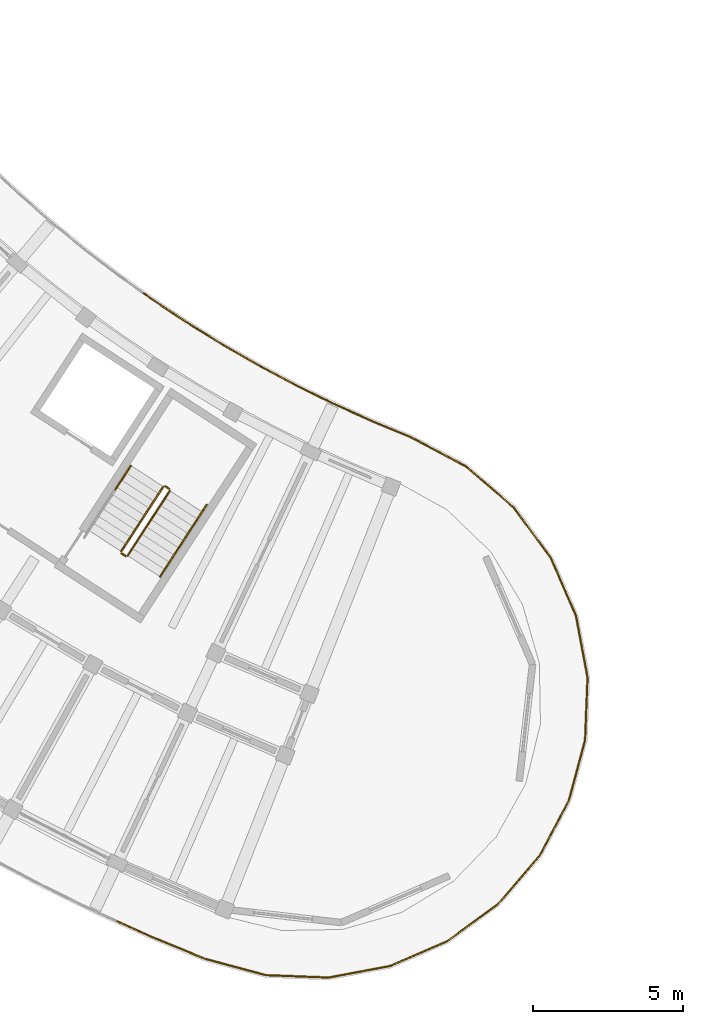
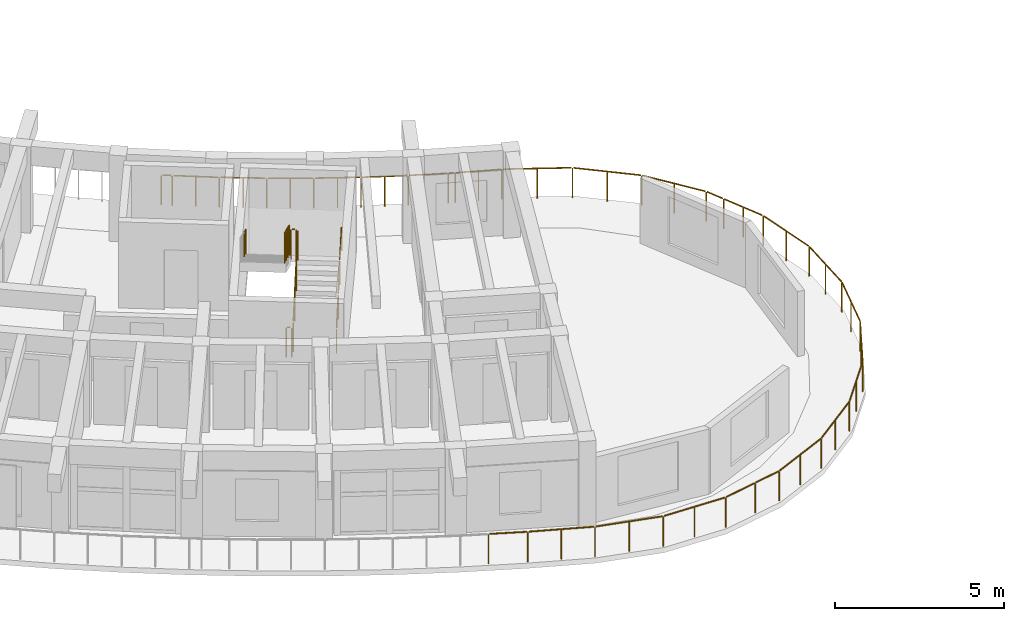
# One storey, part 51 of 62: 13 railings.
"""IFC4 building model written with IfcOpenShell, lengths in metres."""

from ifc_helpers import new_model, si_unit, direction, frame, origin, origin_2d, place, context, subcontext, project, spatial, circle, extrude, material, type_object, element, save


model = new_model("IFC4")

# Units and contexts
model_context = context("Model", 3, precision=1e-05, world=origin(), true_north=direction((0.0, 1.0)))
body_context = subcontext(model_context, "Body", "Model", "MODEL_VIEW")
ifc_project = project(units=[si_unit("LENGTHUNIT", "METRE"), si_unit("AREAUNIT", "SQUARE_METRE"), si_unit("VOLUMEUNIT", "CUBIC_METRE"), si_unit("PLANEANGLEUNIT", "RADIAN"), si_unit("MASSUNIT", "GRAM", prefix="KILO")], contexts=[model_context])

# Site, building, storey
site_placement = place(None, origin())
site = spatial("IfcSite", under=ifc_project, at=site_placement, CompositionType="ELEMENT")
building_placement = place(site_placement, origin())
building = spatial("IfcBuilding", under=site, at=building_placement, Name="Tanwirah Colonnade Gardens", CompositionType="ELEMENT")
storey_placement = place(building_placement, frame((0.0, 0.0, 32.360107421875)))
storey = spatial("IfcBuildingStorey", under=building, at=storey_placement, Name="L09", CompositionType="ELEMENT", Elevation=32.360107421875)

# Railings
ifc_material_1 = material(Name="Precast concrete C40/50", Category="concrete")
railing_type_1 = type_object("IfcRailingType", Name="BAL-EXT110", PredefinedType="BALUSTRADE", material=ifc_material_1)
railing_1_placement = place(storey_placement, frame((40.480712890625, 29.57080078125, 0.0)))
element("IfcRailing", 1, at=railing_1_placement, inside=storey, type_object=railing_type_1, Name="Block C L09 Balcony Ribbon Balustrade 4", PredefinedType="BALUSTRADE", context=body_context, shape_type="SweptSolid", body=[
    extrude(circle(Radius=0.02392578125, at=origin_2d()), frame((0.025390625, -0.01806640625, 1.076171875), z_axis=(0.813783683133, -0.581167890602, 0.0), x_axis=(0.581167890602, 0.813783683133, 0.0)), (0.0, 0.0, 1.0), 0.265869140625),
    extrude(circle(Radius=0.02392578125, at=origin_2d()), frame((0.295654296875, -0.209716796875, 1.076171875), z_axis=(0.832077237554, -0.554659779274, 0.0), x_axis=(0.554659779274, 0.832077237554, 0.0)), (0.0, 0.0, 1.0), 1.33154296875),
    extrude(circle(Radius=0.02392578125, at=origin_2d()), frame((1.458251953125, -0.983642578125, 1.076171875), z_axis=(0.849764617567, -0.527162303973, 0.0), x_axis=(0.527162303973, 0.849764617567, 0.0)), (0.0, 0.0, 1.0), 1.33154296875),
    extrude(circle(Radius=0.02392578125, at=origin_2d()), frame((2.6455078125, -1.71875, 1.076171875), z_axis=(0.866535241782, -0.499115893104, 0.0), x_axis=(0.499115893104, 0.866535241782, 0.0)), (0.0, 0.0, 1.0), 1.33154296875),
    extrude(circle(Radius=0.02392578125, at=origin_2d()), frame((3.8564453125, -2.414794921875, 1.076171875), z_axis=(0.88242081136, -0.470460956593, 0.0), x_axis=(0.470460956593, 0.88242081136, 0.0)), (0.0, 0.0, 1.0), 1.331298828125),
    extrude(circle(Radius=0.02392578125, at=origin_2d()), frame((5.08935546875, -3.071044921875, 1.076171875), z_axis=(0.897349966121, -0.441319655469, 0.0), x_axis=(0.441319655469, 0.897349966121, 0.0)), (0.0, 0.0, 1.0), 1.33154296875),
    extrude(circle(Radius=0.02392578125, at=origin_2d()), frame((6.343017578125, -3.6865234375, 1.076171875), z_axis=(0.911358141413, -0.41161430743, 0.0), x_axis=(0.41161430743, 0.911358141413, 0.0)), (0.0, 0.0, 1.0), 1.123046875),
    extrude(circle(Radius=0.02099609375, at=origin_2d()), origin(), (0.0, 0.0, 1.0), 1.049072265625),
    extrude(circle(Radius=0.02099609375, at=origin_2d()), frame((0.267333984375, -0.19091796875, 0.0)), (0.0, 0.0, 1.0), 1.049072265625),
    extrude(circle(Radius=0.02099609375, at=origin_2d()), frame((0.849609375, -0.5791015625, 0.0)), (0.0, 0.0, 1.0), 1.049072265625),
    extrude(circle(Radius=0.02099609375, at=origin_2d()), frame((1.429443359375, -0.965576171875, 0.0)), (0.0, 0.0, 1.0), 1.049072265625),
    extrude(circle(Radius=0.02099609375, at=origin_2d()), frame((2.02392578125, -1.33447265625, 0.0)), (0.0, 0.0, 1.0), 1.049072265625),
    extrude(circle(Radius=0.02099609375, at=origin_2d()), frame((2.6162109375, -1.701904296875, 0.0)), (0.0, 0.0, 1.0), 1.049072265625),
    extrude(circle(Radius=0.02099609375, at=origin_2d()), frame((3.222412109375, -2.051025390625, 0.0)), (0.0, 0.0, 1.0), 1.049072265625),
    extrude(circle(Radius=0.02099609375, at=origin_2d()), frame((3.826416015625, -2.39892578125, 0.0)), (0.0, 0.0, 1.0), 1.049072265625),
    extrude(circle(Radius=0.02099609375, at=origin_2d()), frame((4.44384765625, -2.72802734375, 0.0)), (0.0, 0.0, 1.0), 1.049072265625),
    extrude(circle(Radius=0.02099609375, at=origin_2d()), frame((5.058837890625, -3.055908203125, 0.0)), (0.0, 0.0, 1.0), 1.049072265625),
    extrude(circle(Radius=0.02099609375, at=origin_2d()), frame((5.686767578125, -3.36474609375, 0.0)), (0.0, 0.0, 1.0), 1.049072265625),
    extrude(circle(Radius=0.02099609375, at=origin_2d()), frame((6.312255859375, -3.67236328125, 0.0)), (0.0, 0.0, 1.0), 1.049072265625),
    extrude(circle(Radius=0.02099609375, at=origin_2d()), frame((7.39501953125, -4.16162109375, 0.0)), (0.0, 0.0, 1.0), 1.049072265625),
])
railing_2_placement = place(storey_placement, frame((47.875732421875, 25.4091796875, 0.0)))
element("IfcRailing", 2, at=railing_2_placement, inside=storey, type_object=railing_type_1, Name="Block C L09 Balcony Ribbon Balustrade 5", PredefinedType="BALUSTRADE", context=body_context, shape_type="SweptSolid", body=[
    extrude(circle(Radius=0.02392578125, at=origin_2d()), frame((0.028564453125, -0.012939453125, 1.076171875), z_axis=(0.911526481252, -0.411241381644, 0.0), x_axis=(0.411241381644, 0.911526481252, 0.0)), (0.0, 0.0, 1.0), 0.145751953125),
    extrude(circle(Radius=0.02392578125, at=origin_2d()), frame((0.22119140625, -0.098876953125, 1.076171875), z_axis=(0.924313956319, -0.381632952134, 0.0), x_axis=(0.381632952134, 0.924313956319, 0.0)), (0.0, 0.0, 1.0), 1.32763671875),
    extrude(circle(Radius=0.02392578125, at=origin_2d()), frame((1.5048828125, -0.632080078125, 1.076171875), z_axis=(0.883506739938, -0.468418445927, 0.0), x_axis=(0.468418445927, 0.883506739938, 0.0)), (0.0, 0.0, 1.0), 2.029541015625),
    extrude(circle(Radius=0.02392578125, at=origin_2d()), frame((3.349365234375, -1.617919921875, 1.076171875), z_axis=(0.757196439802, -0.653187225496, 0.0), x_axis=(0.653187225496, 0.757196439802, 0.0)), (0.0, 0.0, 1.0), 2.024169921875),
    extrude(circle(Radius=0.02392578125, at=origin_2d()), frame((4.92431640625, -2.985595703125, 1.076171875), z_axis=(0.592787920745, -0.805358603989, 0.0), x_axis=(0.805358603989, 0.592787920745, 0.0)), (0.0, 0.0, 1.0), 2.0244140625),
    extrude(circle(Radius=0.02392578125, at=origin_2d()), frame((6.1552734375, -4.669677734375, 1.076171875), z_axis=(0.398754314014, -0.917057793738, 0.0), x_axis=(0.917057793738, 0.398754314014, 0.0)), (0.0, 0.0, 1.0), 0.570556640625),
    extrude(circle(Radius=0.02099609375, at=origin_2d()), origin(), (0.0, 0.0, 1.0), 1.049072265625),
    extrude(circle(Radius=0.02099609375, at=origin_2d()), frame((0.18994140625, -0.085693359375, 0.0)), (0.0, 0.0, 1.0), 1.049072265625),
    extrude(circle(Radius=0.02099609375, at=origin_2d()), frame((0.8349609375, -0.35205078125, 0.0)), (0.0, 0.0, 1.0), 1.049072265625),
    extrude(circle(Radius=0.02099609375, at=origin_2d()), frame((1.477294921875, -0.617431640625, 0.0)), (0.0, 0.0, 1.0), 1.049072265625),
    extrude(circle(Radius=0.02099609375, at=origin_2d()), frame((2.4013671875, -1.107421875, 0.0)), (0.0, 0.0, 1.0), 1.049072265625),
    extrude(circle(Radius=0.02099609375, at=origin_2d()), frame((3.32568359375, -1.597412109375, 0.0)), (0.0, 0.0, 1.0), 1.049072265625),
    extrude(circle(Radius=0.02099609375, at=origin_2d()), frame((4.11572265625, -2.27880859375, 0.0)), (0.0, 0.0, 1.0), 1.049072265625),
    extrude(circle(Radius=0.02099609375, at=origin_2d()), frame((4.90576171875, -2.96044921875, 0.0)), (0.0, 0.0, 1.0), 1.049072265625),
    extrude(circle(Radius=0.02099609375, at=origin_2d()), frame((5.5244140625, -3.80078125, 0.0)), (0.0, 0.0, 1.0), 1.049072265625),
    extrude(circle(Radius=0.02099609375, at=origin_2d()), frame((6.142822265625, -4.64111328125, 0.0)), (0.0, 0.0, 1.0), 1.049072265625),
    extrude(circle(Radius=0.02099609375, at=origin_2d()), frame((6.395263671875, -5.2216796875, 0.0)), (0.0, 0.0, 1.0), 1.049072265625),
])
railing_3_placement = place(storey_placement, frame((54.27099609375, 20.1875, 0.0)))
element("IfcRailing", 3, at=railing_3_placement, inside=storey, type_object=railing_type_1, Name="Block C L09 Balcony Ribbon Balustrade 6", PredefinedType="BALUSTRADE", context=body_context, shape_type="SweptSolid", body=[
    extrude(circle(Radius=0.02392578125, at=origin_2d()), frame((0.012451171875, -0.028564453125, 1.076171875), z_axis=(0.398818213685, -0.917030006288, 0.0), x_axis=(0.917030006288, 0.398818213685, 0.0)), (0.0, 0.0, 1.0), 1.391357421875),
    extrude(circle(Radius=0.02392578125, at=origin_2d()), frame((0.585693359375, -1.364013671875, 1.076171875), z_axis=(0.184719375447, -0.982791306603, 0.0), x_axis=(0.982791306603, 0.184719375447, 0.0)), (0.0, 0.0, 1.0), 2.0244140625),
    extrude(circle(Radius=0.02392578125, at=origin_2d()), frame((0.964111328125, -3.41552734375, 1.076171875), z_axis=(-0.038720647936, -0.999250074518, 0.0), x_axis=(0.999250074518, -0.038720647936, 0.0)), (0.0, 0.0, 1.0), 2.0244140625),
    extrude(circle(Radius=0.02392578125, at=origin_2d()), frame((0.87646484375, -5.5, 1.076171875), z_axis=(-0.259948300676, -0.965622535454, 0.0), x_axis=(0.965622535454, -0.259948300676, 0.0)), (0.0, 0.0, 1.0), 2.0244140625),
    extrude(circle(Radius=0.02392578125, at=origin_2d()), frame((0.327392578125, -7.512451171875, 1.076171875), z_axis=(-0.468473219734, -0.883477697733, 0.0), x_axis=(0.883477697733, -0.468473219734, 0.0)), (0.0, 0.0, 1.0), 0.722900390625),
    extrude(circle(Radius=0.02099609375, at=origin_2d()), origin(), (0.0, 0.0, 1.0), 1.049072265625),
    extrude(circle(Radius=0.02099609375, at=origin_2d()), frame((0.2900390625, -0.66650390625, 0.0)), (0.0, 0.0, 1.0), 1.049072265625),
    extrude(circle(Radius=0.02099609375, at=origin_2d()), frame((0.579833984375, -1.333251953125, 0.0)), (0.0, 0.0, 1.0), 1.049072265625),
    extrude(circle(Radius=0.02099609375, at=origin_2d()), frame((0.7724609375, -2.35888671875, 0.0)), (0.0, 0.0, 1.0), 1.049072265625),
    extrude(circle(Radius=0.02099609375, at=origin_2d()), frame((0.96533203125, -3.38427734375, 0.0)), (0.0, 0.0, 1.0), 1.049072265625),
    extrude(circle(Radius=0.02099609375, at=origin_2d()), frame((0.9248046875, -4.427001953125, 0.0)), (0.0, 0.0, 1.0), 1.049072265625),
    extrude(circle(Radius=0.02099609375, at=origin_2d()), frame((0.884521484375, -5.4697265625, 0.0)), (0.0, 0.0, 1.0), 1.049072265625),
    extrude(circle(Radius=0.02099609375, at=origin_2d()), frame((0.61328125, -6.477294921875, 0.0)), (0.0, 0.0, 1.0), 1.049072265625),
    extrude(circle(Radius=0.02099609375, at=origin_2d()), frame((0.342041015625, -7.48486328125, 0.0)), (0.0, 0.0, 1.0), 1.049072265625),
    extrude(circle(Radius=0.02099609375, at=origin_2d()), frame((-0.02587890625, -8.1787109375, 0.0)), (0.0, 0.0, 1.0), 1.049072265625),
])
railing_4_placement = place(storey_placement, frame((54.2451171875, 12.0087890625, 0.0)))
element("IfcRailing", 4, at=railing_4_placement, inside=storey, type_object=railing_type_1, Name="Block C L09 Balcony Ribbon Balustrade 7", PredefinedType="BALUSTRADE", context=body_context, shape_type="SweptSolid", body=[
    extrude(circle(Radius=0.02392578125, at=origin_2d()), frame((-0.0146484375, -0.027587890625, 1.076171875), z_axis=(-0.468396146512, -0.883518562303, 0.0), x_axis=(0.883518562303, -0.468396146512, 0.0)), (0.0, 0.0, 1.0), 1.239013671875),
    extrude(circle(Radius=0.02392578125, at=origin_2d()), frame((-0.630126953125, -1.173583984375, 1.076171875), z_axis=(-0.653254296901, -0.757138576207, 0.0), x_axis=(0.757138576207, -0.653254296901, 0.0)), (0.0, 0.0, 1.0), 2.0244140625),
    extrude(circle(Radius=0.02392578125, at=origin_2d()), frame((-1.998046875, -2.74853515625, 1.076171875), z_axis=(-0.805302752499, -0.592863792804, 0.0), x_axis=(0.592863792804, -0.805302752499, 0.0)), (0.0, 0.0, 1.0), 2.0244140625),
    extrude(circle(Radius=0.02392578125, at=origin_2d()), frame((-3.68212890625, -3.979736328125, 1.076171875), z_axis=(-0.917081215471, -0.398700444231, 0.0), x_axis=(0.398700444231, -0.917081215471, 0.0)), (0.0, 0.0, 1.0), 2.0244140625),
    extrude(circle(Radius=0.02392578125, at=origin_2d()), frame((-5.59814453125, -4.80517578125, 1.076171875), z_axis=(-0.982768880917, -0.184838650451, 0.0), x_axis=(0.184838650451, -0.982768880917, 0.0)), (0.0, 0.0, 1.0), 0.875244140625),
    extrude(circle(Radius=0.02099609375, at=origin_2d()), origin(), (0.0, 0.0, 1.0), 1.049072265625),
    extrude(circle(Radius=0.02099609375, at=origin_2d()), frame((-0.609619140625, -1.14990234375, 0.0)), (0.0, 0.0, 1.0), 1.049072265625),
    extrude(circle(Radius=0.02099609375, at=origin_2d()), frame((-1.291259765625, -1.93994140625, 0.0)), (0.0, 0.0, 1.0), 1.049072265625),
    extrude(circle(Radius=0.02099609375, at=origin_2d()), frame((-1.972900390625, -2.72998046875, 0.0)), (0.0, 0.0, 1.0), 1.049072265625),
    extrude(circle(Radius=0.02099609375, at=origin_2d()), frame((-2.813232421875, -3.3486328125, 0.0)), (0.0, 0.0, 1.0), 1.049072265625),
    extrude(circle(Radius=0.02099609375, at=origin_2d()), frame((-3.653564453125, -3.96728515625, 0.0)), (0.0, 0.0, 1.0), 1.049072265625),
    extrude(circle(Radius=0.02099609375, at=origin_2d()), frame((-4.6103515625, -4.38330078125, 0.0)), (0.0, 0.0, 1.0), 1.049072265625),
    extrude(circle(Radius=0.02099609375, at=origin_2d()), frame((-5.5673828125, -4.79931640625, 0.0)), (0.0, 0.0, 1.0), 1.049072265625),
    extrude(circle(Radius=0.02099609375, at=origin_2d()), frame((-6.489013671875, -4.97265625, 0.0)), (0.0, 0.0, 1.0), 1.049072265625),
])
railing_5_placement = place(storey_placement, frame((47.756103515625, 7.0361328125, 0.0)))
element("IfcRailing", 5, at=railing_5_placement, inside=storey, type_object=railing_type_1, Name="Block C L09 Balcony Ribbon Balustrade 8", PredefinedType="BALUSTRADE", context=body_context, shape_type="SweptSolid", body=[
    extrude(circle(Radius=0.02392578125, at=origin_2d()), frame((-0.03076171875, -0.005859375, 1.076171875), z_axis=(-0.982809596886, -0.18462203625, 0.0), x_axis=(0.18462203625, -0.982809596886, 0.0)), (0.0, 0.0, 1.0), 1.086669921875),
    extrude(circle(Radius=0.02392578125, at=origin_2d()), frame((-1.16064453125, -0.2109375, 1.076171875), z_axis=(-0.999254419524, 0.038608354811, 0.0), x_axis=(-0.038608354811, -0.999254419524, 0.0)), (0.0, 0.0, 1.0), 2.024169921875),
    extrude(circle(Radius=0.02392578125, at=origin_2d()), frame((-3.244873046875, -0.12353515625, 1.076171875), z_axis=(-0.965594333473, 0.260053039139, 0.0), x_axis=(-0.260053039139, -0.965594333473, 0.0)), (0.0, 0.0, 1.0), 2.0283203125),
    extrude(circle(Radius=0.02392578125, at=origin_2d()), frame((-5.26220703125, 0.424072265625, 1.076171875), z_axis=(-0.924309103419, 0.381644705632, 0.0), x_axis=(-0.381644705632, -0.924309103419, 0.0)), (0.0, 0.0, 1.0), 1.9404296875),
    extrude(circle(Radius=0.02392578125, at=origin_2d()), frame((-7.11328125, 1.189453125, 1.076171875), z_axis=(-0.911299916729, 0.411743198815, 0.0), x_axis=(-0.411743198815, -0.911299916729, 0.0)), (0.0, 0.0, 1.0), 1.10791015625),
    extrude(circle(Radius=0.02099609375, at=origin_2d()), origin(), (0.0, 0.0, 1.0), 1.049072265625),
    extrude(circle(Radius=0.02099609375, at=origin_2d()), frame((-1.12939453125, -0.212158203125, 0.0)), (0.0, 0.0, 1.0), 1.049072265625),
    extrude(circle(Radius=0.02099609375, at=origin_2d()), frame((-2.171875, -0.171875, 0.0)), (0.0, 0.0, 1.0), 1.049072265625),
    extrude(circle(Radius=0.02099609375, at=origin_2d()), frame((-3.214599609375, -0.131591796875, 0.0)), (0.0, 0.0, 1.0), 1.049072265625),
    extrude(circle(Radius=0.02099609375, at=origin_2d()), frame((-4.22412109375, 0.14013671875, 0.0)), (0.0, 0.0, 1.0), 1.049072265625),
    extrude(circle(Radius=0.02099609375, at=origin_2d()), frame((-5.2333984375, 0.412109375, 0.0)), (0.0, 0.0, 1.0), 1.049072265625),
    extrude(circle(Radius=0.02099609375, at=origin_2d()), frame((-6.1591796875, 0.79443359375, 0.0)), (0.0, 0.0, 1.0), 1.049072265625),
    extrude(circle(Radius=0.02099609375, at=origin_2d()), frame((-7.084716796875, 1.176513671875, 0.0)), (0.0, 0.0, 1.0), 1.049072265625),
    extrude(circle(Radius=0.02099609375, at=origin_2d()), frame((-8.1513671875, 1.658447265625, 0.0)), (0.0, 0.0, 1.0), 1.049072265625),
])
ifc_material_2 = material(Name="Powder-coated galvanized steel", Category="steel")
railing_type_2 = type_object("IfcRailingType", Name="GRD-ST110", PredefinedType="GUARDRAIL", material=ifc_material_2)
railing_6_placement = place(storey_placement, frame((39.955078125, 20.84814453125, 0.16796875)))
element("IfcRailing", 6, at=railing_6_placement, inside=storey, type_object=railing_type_2, Name="L09 ST-C2 stair guard 1", PredefinedType="GUARDRAIL", context=body_context, shape_type="SweptSolid", body=[
    extrude(circle(Radius=0.02392578125, at=origin_2d()), frame((0.0146484375, 0.022705078125, 1.092041015625), z_axis=(0.469192556557, 0.722484378858, 0.507813614603), x_axis=(-0.838667537708, 0.544643701143, 0.0)), (0.0, 0.0, 1.0), 2.914794921875),
    extrude(circle(Radius=0.02099609375, at=origin_2d()), origin(), (0.0, 0.0, 1.0), 1.049072265625),
    extrude(circle(Radius=0.02099609375, at=origin_2d()), frame((0.465576171875, 0.717041015625, 0.50390625)), (0.0, 0.0, 1.0), 1.049072265625),
    extrude(circle(Radius=0.02099609375, at=origin_2d()), frame((0.931396484375, 1.43408203125, 1.008056640625)), (0.0, 0.0, 1.0), 1.049072265625),
    extrude(circle(Radius=0.02099609375, at=origin_2d()), frame((1.39697265625, 2.151123046875, 1.511962890625)), (0.0, 0.0, 1.0), 1.049072265625),
])
railing_7_placement = place(storey_placement, frame((41.33740234375, 23.068603515625, 1.679931640625)))
element("IfcRailing", 7, at=railing_7_placement, inside=storey, type_object=railing_type_2, Name="L09 ST-C2 stair guard 2", PredefinedType="GUARDRAIL", context=body_context, shape_type="SweptSolid", body=[
    extrude(circle(Radius=0.02392578125, at=origin_2d()), frame((-0.026123046875, 0.01708984375, 1.076171875), z_axis=(-0.838791880614, 0.544452184326, 0.0), x_axis=(-0.544452184326, -0.838791880614, 0.0)), (0.0, 0.0, 1.0), 0.09765625),
    extrude(circle(Radius=0.02099609375, at=origin_2d()), origin(), (0.0, 0.0, 1.0), 1.049072265625),
    extrude(circle(Radius=0.02099609375, at=origin_2d()), frame((-0.13427734375, 0.087158203125, 0.0)), (0.0, 0.0, 1.0), 1.049072265625),
])
railing_8_placement = place(storey_placement, frame((41.134033203125, 23.140869140625, 1.847900390625)))
element("IfcRailing", 8, at=railing_8_placement, inside=storey, type_object=railing_type_2, Name="L09 ST-C2 stair guard 3", PredefinedType="GUARDRAIL", context=body_context, shape_type="SweptSolid", body=[
    extrude(circle(Radius=0.02392578125, at=origin_2d()), frame((-0.0146484375, -0.022705078125, 1.092041015625), z_axis=(-0.469192556557, -0.722484378858, 0.507813614603), x_axis=(0.838667537708, -0.544643701143, 0.0)), (0.0, 0.0, 1.0), 2.914794921875),
    extrude(circle(Radius=0.02099609375, at=origin_2d()), origin(), (0.0, 0.0, 1.0), 1.049072265625),
    extrude(circle(Radius=0.02099609375, at=origin_2d()), frame((-0.465576171875, -0.717041015625, 0.50390625)), (0.0, 0.0, 1.0), 1.049072265625),
    extrude(circle(Radius=0.02099609375, at=origin_2d()), frame((-0.931396484375, -1.43408203125, 1.008056640625)), (0.0, 0.0, 1.0), 1.049072265625),
    extrude(circle(Radius=0.02099609375, at=origin_2d()), frame((-1.39697265625, -2.151123046875, 1.511962890625)), (0.0, 0.0, 1.0), 1.049072265625),
])
railing_9_placement = place(storey_placement, frame((39.8857421875, 20.83349609375, 0.0)))
element("IfcRailing", 9, at=railing_9_placement, inside=storey, type_object=railing_type_2, Name="L09 ST-C2 stair guard 4", PredefinedType="GUARDRAIL", context=body_context, shape_type="SweptSolid", body=[
    extrude(circle(Radius=0.02392578125, at=origin_2d()), frame((-0.026123046875, 0.01708984375, 1.076171875), z_axis=(-0.838338936283, 0.545149362938, 0.0), x_axis=(-0.545149362938, -0.838338936283, 0.0)), (0.0, 0.0, 1.0), 0.097412109375),
    extrude(circle(Radius=0.02099609375, at=origin_2d()), origin(), (0.0, 0.0, 1.0), 1.049072265625),
    extrude(circle(Radius=0.02099609375, at=origin_2d()), frame((-0.134033203125, 0.087158203125, 0.0)), (0.0, 0.0, 1.0), 1.049072265625),
])
ifc_material_3 = material(Name="Brushed bronze stainless steel", Category="steel")
railing_type_3 = type_object("IfcRailingType", Name="HR-ST090", PredefinedType="HANDRAIL", material=ifc_material_3)
for number, where, name in (
    (10, (41.028564453125, 20.151123046875, 0.16796875), "L09 ST-C2 stair handrail 1"),
    (11, (41.5458984375, 20.94775390625, 0.73388671875), "L09 ST-C2 stair handrail 2"),
):
    element("IfcRailing", number, at=place(storey_placement, frame(where)), inside=storey, type_object=railing_type_3, Name=name, PredefinedType="HANDRAIL", context=body_context, shape_type="SweptSolid", body=[
        extrude(circle(Radius=0.02392578125, at=origin_2d()), frame((0.0146484375, 0.0224609375, 0.891845703125), z_axis=(0.467889522294, 0.720492454576, 0.511830067333), x_axis=(-0.838672561027, 0.544635965926, 0.0)), (0.0, 0.0, 1.0), 1.043212890625),
        extrude(circle(Radius=0.02099609375, at=origin_2d()), origin(), (0.0, 0.0, 1.0), 0.848876953125),
        extrude(circle(Radius=0.02099609375, at=origin_2d()), frame((0.517333984375, 0.796630859375, 0.56591796875)), (0.0, 0.0, 1.0), 0.848876953125),
    ])
railing_10_placement = place(storey_placement, frame((42.063232421875, 21.744384765625, 1.2998046875)))
element("IfcRailing", 12, at=railing_10_placement, inside=storey, type_object=railing_type_3, Name="L09 ST-C2 stair handrail 3", PredefinedType="HANDRAIL", context=body_context, shape_type="SweptSolid", body=[
    extrude(circle(Radius=0.02392578125, at=origin_2d()), frame((0.0146484375, 0.0224609375, 0.891845703125), z_axis=(0.467934656569, 0.720442792, 0.511858711596), x_axis=(-0.838631412534, 0.544699324317, 0.0)), (0.0, 0.0, 1.0), 1.04345703125),
    extrude(circle(Radius=0.02099609375, at=origin_2d()), origin(), (0.0, 0.0, 1.0), 0.848876953125),
    extrude(circle(Radius=0.02099609375, at=origin_2d()), frame((0.517578125, 0.796875, 0.566162109375)), (0.0, 0.0, 1.0), 0.848876953125),
])
railing_11_placement = place(storey_placement, frame((40.060546875, 23.838134765625, 1.847900390625)))
element("IfcRailing", 13, at=railing_11_placement, inside=storey, type_object=railing_type_3, Name="L09 ST-C2 stair handrail 4", PredefinedType="HANDRAIL", context=body_context, shape_type="SweptSolid", body=[
    extrude(circle(Radius=0.02392578125, at=origin_2d()), frame((-0.0146484375, -0.0224609375, 0.891845703125), z_axis=(-0.467987521127, -0.720524183471, 0.511695789609), x_axis=(0.838631412534, -0.544699324317, 0.0)), (0.0, 0.0, 1.0), 1.04345703125),
    extrude(circle(Radius=0.02099609375, at=origin_2d()), origin(), (0.0, 0.0, 1.0), 0.848876953125),
    extrude(circle(Radius=0.02099609375, at=origin_2d()), frame((-0.517578125, -0.796875, 0.56591796875)), (0.0, 0.0, 1.0), 0.848876953125),
])

save(model, "model.ifc")
